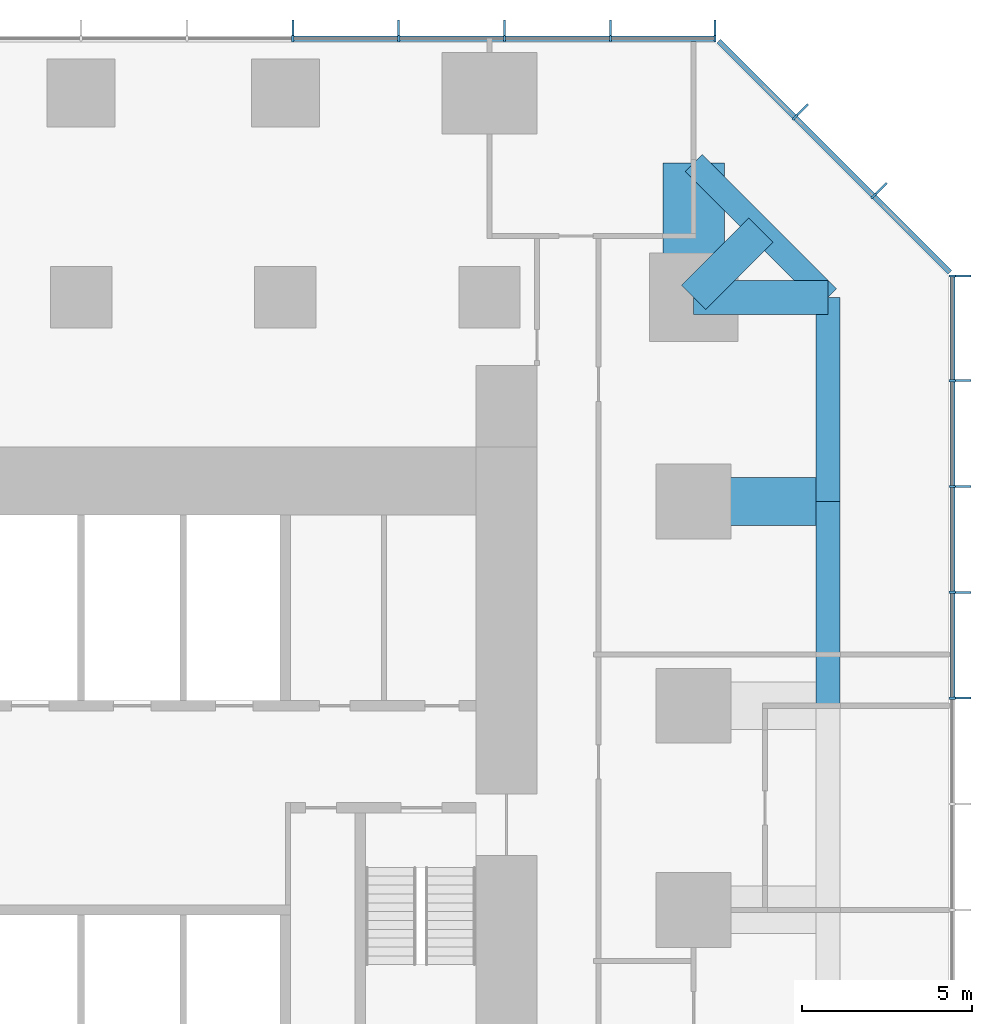
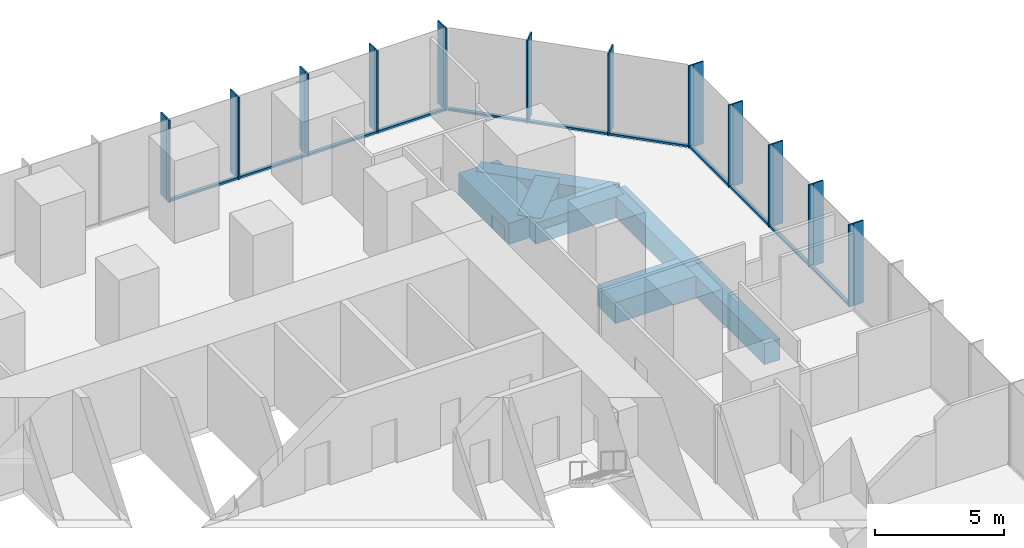
# One storey, part 6 of 12: 35 members, 7 beams, 3 elements without a shape of their own.
"""IFC4 building model written with IfcOpenShell, lengths in metres."""

from ifc_helpers import new_model, si_unit, direction, frame, origin, origin_2d, place, context, subcontext, project, spatial, rectangle, extrude, material, layer, layer_set, material_profile, profile_set, type_object, element, aggregate, save


model = new_model("IFC4")

# Units and contexts
model_context = context("Model", 3, precision=1e-05, world=origin(), true_north=direction((0.0, 1.0)))
body_context = subcontext(model_context, "Body", "Model", "MODEL_VIEW")
ifc_project = project(units=[si_unit("LENGTHUNIT", "METRE"), si_unit("AREAUNIT", "SQUARE_METRE"), si_unit("VOLUMEUNIT", "CUBIC_METRE"), si_unit("PLANEANGLEUNIT", "RADIAN"), si_unit("MASSUNIT", "GRAM", prefix="KILO")], contexts=[model_context])

# Site, building, storey
site_placement = place(None, origin())
site = spatial("IfcSite", under=ifc_project, at=site_placement, CompositionType="ELEMENT")
building_placement = place(site_placement, origin())
building = spatial("IfcBuilding", under=site, at=building_placement, Name="Highveld Stack Headquarters", CompositionType="ELEMENT")
storey_placement = place(building_placement, frame((0.0, 0.0, 57.199951171875)))
storey = spatial("IfcBuildingStorey", under=building, at=storey_placement, Name="L13", CompositionType="ELEMENT", Elevation=57.199951171875)

# Beams
ifc_material_1 = material(Name="Concrete C60/75", Category="concrete")
ifc_material_profile_1 = material_profile(ifc_material_1, rectangle(XDim=1.0, YDim=1.0, at=origin_2d()), Name="RC 1000x1000")
ifc_profile_set_1 = profile_set([ifc_material_profile_1], Name="Concrete C60/75")
beam_type_1 = type_object("IfcBeamType", Name="CANTILEVER RIB RC 1000x1000", PredefinedType="USERDEFINED", material=ifc_profile_set_1)
beam_1_placement = place(storey_placement, frame((24.0, 18.0, -0.75), z_axis=(1.0, 0.0, 0.0), x_axis=(0.0, 1.0, 0.0)))
element("IfcBeam", 1, at=beam_1_placement, inside=storey, type_object=beam_type_1, Name="Cantilever rib 10/H L13", ObjectType="CANTILEVER RIB", PredefinedType="USERDEFINED", context=body_context, shape_type="SweptSolid", body=[
    extrude(rectangle(XDim=1.0, YDim=1.0, at=origin_2d()), origin(), (0.0, 0.0, 1.0), 3.949951171875),
])
beam_2_placement = place(storey_placement, frame((24.0, 18.0, -0.75), z_axis=(0.707106781187, 0.707106781187, 0.0), x_axis=(-0.707106781187, 0.707106781187, 0.0)))
element("IfcBeam", 2, at=beam_2_placement, inside=storey, type_object=beam_type_1, Name="Cantilever rib 10/H L13", ObjectType="CANTILEVER RIB", PredefinedType="USERDEFINED", context=body_context, shape_type="SweptSolid", body=[
    extrude(rectangle(XDim=1.0, YDim=1.0, at=origin_2d()), origin(), (0.0, 0.0, 1.0), 2.793212890625),
])
ifc_material_2 = material(Name="Concrete C60/75", Category="concrete")
ifc_material_profile_2 = material_profile(ifc_material_2, rectangle(XDim=1.39990234375, YDim=1.0, at=origin_2d()), Name="RC 1400x1000")
ifc_profile_set_2 = profile_set([ifc_material_profile_2], Name="Concrete C60/75")
beam_type_2 = type_object("IfcBeamType", Name="CANTILEVER RIB RC 1400x1000", PredefinedType="USERDEFINED", material=ifc_profile_set_2)
beam_3_placement = place(storey_placement, frame((24.0, 12.0, -0.75), z_axis=(1.0, 0.0, 0.0), x_axis=(0.0, 1.0, 0.0)))
element("IfcBeam", 3, at=beam_3_placement, inside=storey, type_object=beam_type_2, Name="Cantilever rib 10/G L13", ObjectType="CANTILEVER RIB", PredefinedType="USERDEFINED", context=body_context, shape_type="SweptSolid", body=[
    extrude(rectangle(XDim=1.39990234375, YDim=1.0, at=origin_2d()), origin(), (0.0, 0.0, 1.0), 3.949951171875),
])
ifc_material_3 = material(Name="Concrete C60/75", Category="concrete")
ifc_material_profile_3 = material_profile(ifc_material_3, rectangle(XDim=1.800048828125, YDim=1.0, at=origin_2d()), Name="RC 1800x1000")
ifc_profile_set_3 = profile_set([ifc_material_profile_3], Name="Concrete C60/75")
beam_type_3 = type_object("IfcBeamType", Name="CANTILEVER RIB RC 1800x1000", PredefinedType="USERDEFINED", material=ifc_profile_set_3)
beam_4_placement = place(storey_placement, frame((24.0, 18.0, -0.75), z_axis=(0.0, 1.0, 0.0), x_axis=(-1.0, 0.0, 0.0)))
element("IfcBeam", 4, at=beam_4_placement, inside=storey, type_object=beam_type_3, Name="Cantilever rib 10/H L13", ObjectType="CANTILEVER RIB", PredefinedType="USERDEFINED", context=body_context, shape_type="SweptSolid", body=[
    extrude(rectangle(XDim=1.800048828125, YDim=1.0, at=origin_2d()), origin(), (0.0, 0.0, 1.0), 3.949951171875),
])

# Curtain wall, members
ifc_material_4 = material(Name="Aluminium bronze anodised", Category="aluminium")
ifc_layer_1 = layer(ifc_material_4, 0.199951171875)
ifc_layer_set_1 = layer_set([ifc_layer_1], Name="Aluminium bronze anodised")
curtain_wall_type_1 = type_object("IfcCurtainWallType", Name="CW1 TOWER UNITISED CURTAIN WALL", PredefinedType="NOTDEFINED", material=ifc_layer_set_1)
curtain_wall_1_placement = place(storey_placement, origin())
curtain_wall_1 = element("IfcCurtainWall", 5, at=curtain_wall_1_placement, inside=storey, type_object=curtain_wall_type_1, Name="Curtain wall CW1 L13 E", PredefinedType="NOTDEFINED")
ifc_material_5 = material(Name="Aluminium bronze anodised", Category="aluminium")
ifc_material_profile_4 = material_profile(ifc_material_5, rectangle(XDim=0.449951171875, YDim=0.06005859375, at=origin_2d()), Name="FIN 450x60")
ifc_profile_set_4 = profile_set([ifc_material_profile_4], Name="Aluminium bronze anodised")
member_type_1 = type_object("IfcMemberType", Name="CW1 BRONZE FIN 450x60", PredefinedType="USERDEFINED", material=ifc_profile_set_4)
member_1_placement = place(storey_placement, frame((31.925048828125, 6.220947265625, 0.0), z_axis=(0.0, 0.0, 1.0), x_axis=(-1.0, 0.0, 0.0)))
member_1 = element("IfcMember", 6, at=member_1_placement, type_object=member_type_1, Name="CW1 fin L13 9", ObjectType="FIN", PredefinedType="USERDEFINED", context=body_context, shape_type="SweptSolid", body=[
    extrude(rectangle(XDim=0.449951171875, YDim=0.06005859375, at=origin_2d()), origin(), (0.0, 0.0, 1.0), 3.900146484375),
])
member_2_placement = place(storey_placement, frame((31.925048828125, 9.331298828125, 0.0), z_axis=(0.0, 0.0, 1.0), x_axis=(-1.0, 0.0, 0.0)))
member_2 = element("IfcMember", 7, at=member_2_placement, type_object=member_type_1, Name="CW1 fin L13 10", ObjectType="FIN", PredefinedType="USERDEFINED", context=body_context, shape_type="SweptSolid", body=[
    extrude(rectangle(XDim=0.449951171875, YDim=0.06005859375, at=origin_2d()), origin(), (0.0, 0.0, 1.0), 3.900146484375),
])
member_3_placement = place(storey_placement, frame((31.925048828125, 12.44189453125, 0.0), z_axis=(0.0, 0.0, 1.0), x_axis=(-1.0, 0.0, 0.0)))
member_3 = element("IfcMember", 8, at=member_3_placement, type_object=member_type_1, Name="CW1 fin L13 11", ObjectType="FIN", PredefinedType="USERDEFINED", context=body_context, shape_type="SweptSolid", body=[
    extrude(rectangle(XDim=0.449951171875, YDim=0.06005859375, at=origin_2d()), origin(), (0.0, 0.0, 1.0), 3.900146484375),
])
member_4_placement = place(storey_placement, frame((31.925048828125, 15.55224609375, 0.0), z_axis=(0.0, 0.0, 1.0), x_axis=(-1.0, 0.0, 0.0)))
member_4 = element("IfcMember", 9, at=member_4_placement, type_object=member_type_1, Name="CW1 fin L13 12", ObjectType="FIN", PredefinedType="USERDEFINED", context=body_context, shape_type="SweptSolid", body=[
    extrude(rectangle(XDim=0.449951171875, YDim=0.06005859375, at=origin_2d()), origin(), (0.0, 0.0, 1.0), 3.900146484375),
])
member_5_placement = place(storey_placement, frame((31.925048828125, 18.630126953125, 0.0), z_axis=(0.0, 0.0, 1.0), x_axis=(-1.0, 0.0, 0.0)))
member_5 = element("IfcMember", 10, at=member_5_placement, type_object=member_type_1, Name="CW1 fin L13 13", ObjectType="FIN", PredefinedType="USERDEFINED", context=body_context, shape_type="SweptSolid", body=[
    extrude(rectangle(XDim=0.449951171875, YDim=0.06005859375, at=origin_2d()), origin(), (0.0, 0.0, 1.0), 3.900146484375),
])

curtain_wall_2_placement = place(storey_placement, origin())
curtain_wall_2 = element("IfcCurtainWall", 11, at=curtain_wall_2_placement, inside=storey, type_object=curtain_wall_type_1, Name="Curtain wall CW1 L13 N", PredefinedType="NOTDEFINED")
member_6_placement = place(storey_placement, frame((24.630126953125, 25.925048828125, 0.0), z_axis=(0.0, 0.0, 1.0), x_axis=(0.0, -1.0, 0.0)))
member_6 = element("IfcMember", 12, at=member_6_placement, type_object=member_type_1, Name="CW1 fin L13 1", ObjectType="FIN", PredefinedType="USERDEFINED", context=body_context, shape_type="SweptSolid", body=[
    extrude(rectangle(XDim=0.449951171875, YDim=0.06005859375, at=origin_2d()), origin(), (0.0, 0.0, 1.0), 3.900146484375),
])
member_7_placement = place(storey_placement, frame((21.55224609375, 25.925048828125, 0.0), z_axis=(0.0, 0.0, 1.0), x_axis=(0.0, -1.0, 0.0)))
member_7 = element("IfcMember", 13, at=member_7_placement, type_object=member_type_1, Name="CW1 fin L13 2", ObjectType="FIN", PredefinedType="USERDEFINED", context=body_context, shape_type="SweptSolid", body=[
    extrude(rectangle(XDim=0.449951171875, YDim=0.06005859375, at=origin_2d()), origin(), (0.0, 0.0, 1.0), 3.900146484375),
])
member_8_placement = place(storey_placement, frame((18.44189453125, 25.925048828125, 0.0), z_axis=(0.0, 0.0, 1.0), x_axis=(0.0, -1.0, 0.0)))
member_8 = element("IfcMember", 14, at=member_8_placement, type_object=member_type_1, Name="CW1 fin L13 3", ObjectType="FIN", PredefinedType="USERDEFINED", context=body_context, shape_type="SweptSolid", body=[
    extrude(rectangle(XDim=0.449951171875, YDim=0.06005859375, at=origin_2d()), origin(), (0.0, 0.0, 1.0), 3.900146484375),
])
member_9_placement = place(storey_placement, frame((15.331298828125, 25.925048828125, 0.0), z_axis=(0.0, 0.0, 1.0), x_axis=(0.0, -1.0, 0.0)))
member_9 = element("IfcMember", 15, at=member_9_placement, type_object=member_type_1, Name="CW1 fin L13 4", ObjectType="FIN", PredefinedType="USERDEFINED", context=body_context, shape_type="SweptSolid", body=[
    extrude(rectangle(XDim=0.449951171875, YDim=0.06005859375, at=origin_2d()), origin(), (0.0, 0.0, 1.0), 3.900146484375),
])
member_10_placement = place(storey_placement, frame((12.220947265625, 25.925048828125, 0.0), z_axis=(0.0, 0.0, 1.0), x_axis=(0.0, -1.0, 0.0)))
member_10 = element("IfcMember", 16, at=member_10_placement, type_object=member_type_1, Name="CW1 fin L13 5", ObjectType="FIN", PredefinedType="USERDEFINED", context=body_context, shape_type="SweptSolid", body=[
    extrude(rectangle(XDim=0.449951171875, YDim=0.06005859375, at=origin_2d()), origin(), (0.0, 0.0, 1.0), 3.900146484375),
])

# Member
ifc_material_6 = material(Name="Aluminium bronze anodised", Category="aluminium")
ifc_material_profile_5 = material_profile(ifc_material_6, rectangle(XDim=0.199951171875, YDim=0.06494140625, at=origin_2d()), Name="CW1 MULLION 65x200")
ifc_profile_set_5 = profile_set([ifc_material_profile_5], Name="Aluminium bronze anodised")
member_type_2 = type_object("IfcMemberType", Name="CW1 MULLION 65x200", PredefinedType="MULLION", material=ifc_profile_set_5)
member_11_placement = place(storey_placement, frame((31.60009765625, 6.220947265625, 0.0), z_axis=(0.0, 0.0, 1.0), x_axis=(-1.0, 0.0, 0.0)))
member_11 = element("IfcMember", 17, at=member_11_placement, type_object=member_type_2, Name="CW1 mullion L13 9", PredefinedType="MULLION", context=body_context, shape_type="SweptSolid", body=[
    extrude(rectangle(XDim=0.199951171875, YDim=0.06494140625, at=origin_2d()), origin(), (0.0, 0.0, 1.0), 3.900146484375),
])

member_12_placement = place(storey_placement, frame((31.60009765625, 9.331298828125, 0.0), z_axis=(0.0, 0.0, 1.0), x_axis=(-1.0, 0.0, 0.0)))
member_12 = element("IfcMember", 18, at=member_12_placement, type_object=member_type_2, Name="CW1 mullion L13 10", PredefinedType="MULLION", context=body_context, shape_type="SweptSolid", body=[
    extrude(rectangle(XDim=0.199951171875, YDim=0.06494140625, at=origin_2d()), origin(), (0.0, 0.0, 1.0), 3.900146484375),
])

member_13_placement = place(storey_placement, frame((31.60009765625, 12.44189453125, 0.0), z_axis=(0.0, 0.0, 1.0), x_axis=(-1.0, 0.0, 0.0)))
member_13 = element("IfcMember", 19, at=member_13_placement, type_object=member_type_2, Name="CW1 mullion L13 11", PredefinedType="MULLION", context=body_context, shape_type="SweptSolid", body=[
    extrude(rectangle(XDim=0.199951171875, YDim=0.06494140625, at=origin_2d()), origin(), (0.0, 0.0, 1.0), 3.900146484375),
])

member_14_placement = place(storey_placement, frame((31.60009765625, 15.55224609375, 0.0), z_axis=(0.0, 0.0, 1.0), x_axis=(-1.0, 0.0, 0.0)))
member_14 = element("IfcMember", 20, at=member_14_placement, type_object=member_type_2, Name="CW1 mullion L13 12", PredefinedType="MULLION", context=body_context, shape_type="SweptSolid", body=[
    extrude(rectangle(XDim=0.199951171875, YDim=0.06494140625, at=origin_2d()), origin(), (0.0, 0.0, 1.0), 3.900146484375),
])

member_15_placement = place(storey_placement, frame((31.60009765625, 18.630126953125, 0.0), z_axis=(0.0, 0.0, 1.0), x_axis=(-1.0, 0.0, 0.0)))
member_15 = element("IfcMember", 21, at=member_15_placement, type_object=member_type_2, Name="CW1 mullion L13 13", PredefinedType="MULLION", context=body_context, shape_type="SweptSolid", body=[
    extrude(rectangle(XDim=0.199951171875, YDim=0.06494140625, at=origin_2d()), origin(), (0.0, 0.0, 1.0), 3.900146484375),
])

member_16_placement = place(storey_placement, frame((24.630126953125, 25.60009765625, 0.0), z_axis=(0.0, 0.0, 1.0), x_axis=(0.0, -1.0, 0.0)))
member_16 = element("IfcMember", 22, at=member_16_placement, type_object=member_type_2, Name="CW1 mullion L13 1", PredefinedType="MULLION", context=body_context, shape_type="SweptSolid", body=[
    extrude(rectangle(XDim=0.199951171875, YDim=0.06494140625, at=origin_2d()), origin(), (0.0, 0.0, 1.0), 3.900146484375),
])

member_17_placement = place(storey_placement, frame((21.55224609375, 25.60009765625, 0.0), z_axis=(0.0, 0.0, 1.0), x_axis=(0.0, -1.0, 0.0)))
member_17 = element("IfcMember", 23, at=member_17_placement, type_object=member_type_2, Name="CW1 mullion L13 2", PredefinedType="MULLION", context=body_context, shape_type="SweptSolid", body=[
    extrude(rectangle(XDim=0.199951171875, YDim=0.06494140625, at=origin_2d()), origin(), (0.0, 0.0, 1.0), 3.900146484375),
])

member_18_placement = place(storey_placement, frame((18.44189453125, 25.60009765625, 0.0), z_axis=(0.0, 0.0, 1.0), x_axis=(0.0, -1.0, 0.0)))
member_18 = element("IfcMember", 24, at=member_18_placement, type_object=member_type_2, Name="CW1 mullion L13 3", PredefinedType="MULLION", context=body_context, shape_type="SweptSolid", body=[
    extrude(rectangle(XDim=0.199951171875, YDim=0.06494140625, at=origin_2d()), origin(), (0.0, 0.0, 1.0), 3.900146484375),
])

member_19_placement = place(storey_placement, frame((15.331298828125, 25.60009765625, 0.0), z_axis=(0.0, 0.0, 1.0), x_axis=(0.0, -1.0, 0.0)))
member_19 = element("IfcMember", 25, at=member_19_placement, type_object=member_type_2, Name="CW1 mullion L13 4", PredefinedType="MULLION", context=body_context, shape_type="SweptSolid", body=[
    extrude(rectangle(XDim=0.199951171875, YDim=0.06494140625, at=origin_2d()), origin(), (0.0, 0.0, 1.0), 3.900146484375),
])

member_20_placement = place(storey_placement, frame((12.220947265625, 25.60009765625, 0.0), z_axis=(0.0, 0.0, 1.0), x_axis=(0.0, -1.0, 0.0)))
member_20 = element("IfcMember", 26, at=member_20_placement, type_object=member_type_2, Name="CW1 mullion L13 5", PredefinedType="MULLION", context=body_context, shape_type="SweptSolid", body=[
    extrude(rectangle(XDim=0.199951171875, YDim=0.06494140625, at=origin_2d()), origin(), (0.0, 0.0, 1.0), 3.900146484375),
])

ifc_material_7 = material(Name="Aluminium bronze anodised", Category="aluminium")
ifc_material_profile_6 = material_profile(ifc_material_7, rectangle(XDim=0.14990234375, YDim=0.10009765625, at=origin_2d()), Name="CW1 TRANSOM 150x100")
ifc_profile_set_6 = profile_set([ifc_material_profile_6], Name="Aluminium bronze anodised")
member_type_3 = type_object("IfcMemberType", Name="CW1 STACK TRANSOM 150x100", PredefinedType="USERDEFINED", material=ifc_profile_set_6)
member_21_placement = place(storey_placement, frame((31.60009765625, 6.25341796875, 0.050048828125), z_axis=(0.0, 1.0, 0.0), x_axis=(-1.0, 0.0, 0.0)))
member_21 = element("IfcMember", 27, at=member_21_placement, type_object=member_type_3, Name="CW1 transom L13 9.1", ObjectType="TRANSOM", PredefinedType="USERDEFINED", context=body_context, shape_type="SweptSolid", body=[
    extrude(rectangle(XDim=0.14990234375, YDim=0.10009765625, at=origin_2d()), origin(), (0.0, 0.0, 1.0), 3.04541015625),
])

member_22_placement = place(storey_placement, frame((31.60009765625, 9.36376953125, 0.050048828125), z_axis=(0.0, 1.0, 0.0), x_axis=(-1.0, 0.0, 0.0)))
member_22 = element("IfcMember", 28, at=member_22_placement, type_object=member_type_3, Name="CW1 transom L13 10.1", ObjectType="TRANSOM", PredefinedType="USERDEFINED", context=body_context, shape_type="SweptSolid", body=[
    extrude(rectangle(XDim=0.14990234375, YDim=0.10009765625, at=origin_2d()), origin(), (0.0, 0.0, 1.0), 3.04541015625),
])

member_23_placement = place(storey_placement, frame((31.60009765625, 12.474365234375, 0.050048828125), z_axis=(0.0, 1.0, 0.0), x_axis=(-1.0, 0.0, 0.0)))
member_23 = element("IfcMember", 29, at=member_23_placement, type_object=member_type_3, Name="CW1 transom L13 11.1", ObjectType="TRANSOM", PredefinedType="USERDEFINED", context=body_context, shape_type="SweptSolid", body=[
    extrude(rectangle(XDim=0.14990234375, YDim=0.10009765625, at=origin_2d()), origin(), (0.0, 0.0, 1.0), 3.04541015625),
])

member_24_placement = place(storey_placement, frame((31.60009765625, 15.584716796875, 0.050048828125), z_axis=(0.0, 1.0, 0.0), x_axis=(-1.0, 0.0, 0.0)))
member_24 = element("IfcMember", 30, at=member_24_placement, type_object=member_type_3, Name="CW1 transom L13 12.1", ObjectType="TRANSOM", PredefinedType="USERDEFINED", context=body_context, shape_type="SweptSolid", body=[
    extrude(rectangle(XDim=0.14990234375, YDim=0.10009765625, at=origin_2d()), origin(), (0.0, 0.0, 1.0), 3.012939453125),
])

aggregate(curtain_wall_1, [member_11, member_1, member_12, member_2, member_13, member_3, member_14, member_4, member_15, member_5, member_21, member_22, member_23, member_24])

member_25_placement = place(storey_placement, frame((24.59765625, 25.60009765625, 0.050048828125), z_axis=(-1.0, 0.0, 0.0), x_axis=(0.0, -1.0, 0.0)))
member_25 = element("IfcMember", 31, at=member_25_placement, type_object=member_type_3, Name="CW1 transom L13 1.1", ObjectType="TRANSOM", PredefinedType="USERDEFINED", context=body_context, shape_type="SweptSolid", body=[
    extrude(rectangle(XDim=0.14990234375, YDim=0.10009765625, at=origin_2d()), origin(), (0.0, 0.0, 1.0), 3.012939453125),
])

member_26_placement = place(storey_placement, frame((21.519775390625, 25.60009765625, 0.050048828125), z_axis=(-1.0, 0.0, 0.0), x_axis=(0.0, -1.0, 0.0)))
member_26 = element("IfcMember", 32, at=member_26_placement, type_object=member_type_3, Name="CW1 transom L13 2.1", ObjectType="TRANSOM", PredefinedType="USERDEFINED", context=body_context, shape_type="SweptSolid", body=[
    extrude(rectangle(XDim=0.14990234375, YDim=0.10009765625, at=origin_2d()), origin(), (0.0, 0.0, 1.0), 3.04541015625),
])

member_27_placement = place(storey_placement, frame((18.4091796875, 25.60009765625, 0.050048828125), z_axis=(-1.0, 0.0, 0.0), x_axis=(0.0, -1.0, 0.0)))
member_27 = element("IfcMember", 33, at=member_27_placement, type_object=member_type_3, Name="CW1 transom L13 3.1", ObjectType="TRANSOM", PredefinedType="USERDEFINED", context=body_context, shape_type="SweptSolid", body=[
    extrude(rectangle(XDim=0.14990234375, YDim=0.10009765625, at=origin_2d()), origin(), (0.0, 0.0, 1.0), 3.045166015625),
])

member_28_placement = place(storey_placement, frame((15.298828125, 25.60009765625, 0.050048828125), z_axis=(-1.0, 0.0, 0.0), x_axis=(0.0, -1.0, 0.0)))
member_28 = element("IfcMember", 34, at=member_28_placement, type_object=member_type_3, Name="CW1 transom L13 4.1", ObjectType="TRANSOM", PredefinedType="USERDEFINED", context=body_context, shape_type="SweptSolid", body=[
    extrude(rectangle(XDim=0.14990234375, YDim=0.10009765625, at=origin_2d()), origin(), (0.0, 0.0, 1.0), 3.04541015625),
])

aggregate(curtain_wall_2, [member_16, member_6, member_17, member_7, member_18, member_8, member_19, member_9, member_20, member_10, member_25, member_26, member_27, member_28])

# Curtain wall, members
ifc_material_8 = material(Name="Aluminium bronze anodised", Category="aluminium")
ifc_layer_2 = layer(ifc_material_8, 0.199951171875)
ifc_layer_set_2 = layer_set([ifc_layer_2], Name="Aluminium bronze anodised")
curtain_wall_type_2 = type_object("IfcCurtainWallType", Name="CW2 TOWER CHAMFER UNITISED CURTAIN WALL", PredefinedType="NOTDEFINED", material=ifc_layer_set_2)
curtain_wall_3_placement = place(storey_placement, origin())
curtain_wall_3 = element("IfcCurtainWall", 35, at=curtain_wall_3_placement, inside=storey, type_object=curtain_wall_type_2, Name="Curtain wall CW2 L13 NE", PredefinedType="NOTDEFINED")
ifc_material_9 = material(Name="Aluminium bronze anodised", Category="aluminium")
ifc_material_profile_7 = material_profile(ifc_material_9, rectangle(XDim=0.449951171875, YDim=0.06005859375, at=origin_2d()), Name="FIN 450x60")
ifc_profile_set_7 = profile_set([ifc_material_profile_7], Name="Aluminium bronze anodised")
member_type_4 = type_object("IfcMemberType", Name="CW2 BRONZE FIN 450x60", PredefinedType="USERDEFINED", material=ifc_profile_set_7)
member_29_placement = place(storey_placement, frame((29.517333984375, 21.204833984375, 0.0), z_axis=(0.0, 0.0, 1.0), x_axis=(-0.707106781187, -0.707106781187, 0.0)))
member_29 = element("IfcMember", 36, at=member_29_placement, type_object=member_type_4, Name="CW2 fin L13 1", ObjectType="FIN", PredefinedType="USERDEFINED", context=body_context, shape_type="SweptSolid", body=[
    extrude(rectangle(XDim=0.449951171875, YDim=0.06005859375, at=origin_2d()), origin(), (0.0, 0.0, 1.0), 3.900146484375),
])
member_30_placement = place(storey_placement, frame((27.204833984375, 23.517333984375, 0.0), z_axis=(0.0, 0.0, 1.0), x_axis=(-0.707106781187, -0.707106781187, 0.0)))
member_30 = element("IfcMember", 37, at=member_30_placement, type_object=member_type_4, Name="CW2 fin L13 2", ObjectType="FIN", PredefinedType="USERDEFINED", context=body_context, shape_type="SweptSolid", body=[
    extrude(rectangle(XDim=0.449951171875, YDim=0.06005859375, at=origin_2d()), origin(), (0.0, 0.0, 1.0), 3.900146484375),
])
ifc_material_10 = material(Name="Aluminium bronze anodised", Category="aluminium")
ifc_material_profile_8 = material_profile(ifc_material_10, rectangle(XDim=0.199951171875, YDim=0.06494140625, at=origin_2d()), Name="CW2 MULLION 65x200")
ifc_profile_set_8 = profile_set([ifc_material_profile_8], Name="Aluminium bronze anodised")
member_type_5 = type_object("IfcMemberType", Name="CW2 MULLION 65x200", PredefinedType="MULLION", material=ifc_profile_set_8)
member_31_placement = place(storey_placement, frame((29.28759765625, 20.97509765625, 0.0), z_axis=(0.0, 0.0, 1.0), x_axis=(-0.707106781187, -0.707106781187, 0.0)))
member_31 = element("IfcMember", 38, at=member_31_placement, type_object=member_type_5, Name="CW2 mullion L13 1", PredefinedType="MULLION", context=body_context, shape_type="SweptSolid", body=[
    extrude(rectangle(XDim=0.199951171875, YDim=0.06494140625, at=origin_2d()), origin(), (0.0, 0.0, 1.0), 3.900146484375),
])
member_32_placement = place(storey_placement, frame((26.97509765625, 23.28759765625, 0.0), z_axis=(0.0, 0.0, 1.0), x_axis=(-0.707106781187, -0.707106781187, 0.0)))
member_32 = element("IfcMember", 39, at=member_32_placement, type_object=member_type_5, Name="CW2 mullion L13 2", PredefinedType="MULLION", context=body_context, shape_type="SweptSolid", body=[
    extrude(rectangle(XDim=0.199951171875, YDim=0.06494140625, at=origin_2d()), origin(), (0.0, 0.0, 1.0), 3.900146484375),
])
ifc_material_11 = material(Name="Aluminium bronze anodised", Category="aluminium")
ifc_material_profile_9 = material_profile(ifc_material_11, rectangle(XDim=0.14990234375, YDim=0.10009765625, at=origin_2d()), Name="CW2 TRANSOM 150x100")
ifc_profile_set_9 = profile_set([ifc_material_profile_9], Name="Aluminium bronze anodised")
member_type_6 = type_object("IfcMemberType", Name="CW2 STACK TRANSOM 150x100", PredefinedType="USERDEFINED", material=ifc_profile_set_9)
member_33_placement = place(storey_placement, frame((31.529296875, 18.7333984375, 0.050048828125), z_axis=(-0.707106781187, 0.707106781187, 0.0), x_axis=(-0.707106781187, -0.707106781187, 0.0)))
member_33 = element("IfcMember", 40, at=member_33_placement, type_object=member_type_6, Name="CW2 transom L13 1.1", ObjectType="TRANSOM", PredefinedType="USERDEFINED", context=body_context, shape_type="SweptSolid", body=[
    extrude(rectangle(XDim=0.14990234375, YDim=0.10009765625, at=origin_2d()), origin(), (0.0, 0.0, 1.0), 3.1376953125),
])
member_34_placement = place(storey_placement, frame((29.2646484375, 20.998046875, 0.050048828125), z_axis=(-0.707106781187, 0.707106781187, 0.0), x_axis=(-0.707106781187, -0.707106781187, 0.0)))
member_34 = element("IfcMember", 41, at=member_34_placement, type_object=member_type_6, Name="CW2 transom L13 2.1", ObjectType="TRANSOM", PredefinedType="USERDEFINED", context=body_context, shape_type="SweptSolid", body=[
    extrude(rectangle(XDim=0.14990234375, YDim=0.10009765625, at=origin_2d()), origin(), (0.0, 0.0, 1.0), 3.20556640625),
])
member_35_placement = place(storey_placement, frame((26.9521484375, 23.310546875, 0.050048828125), z_axis=(-0.707106781187, 0.707106781187, 0.0), x_axis=(-0.707106781187, -0.707106781187, 0.0)))
member_35 = element("IfcMember", 42, at=member_35_placement, type_object=member_type_6, Name="CW2 transom L13 3.1", ObjectType="TRANSOM", PredefinedType="USERDEFINED", context=body_context, shape_type="SweptSolid", body=[
    extrude(rectangle(XDim=0.14990234375, YDim=0.10009765625, at=origin_2d()), origin(), (0.0, 0.0, 1.0), 3.1376953125),
])
aggregate(curtain_wall_3, [member_31, member_29, member_32, member_30, member_33, member_34, member_35])

# Beams
ifc_material_12 = material(Name="Concrete C60/75", Category="concrete")
ifc_material_profile_10 = material_profile(ifc_material_12, rectangle(XDim=0.699951171875, YDim=1.0, at=origin_2d()), Name="RC 700x1000")
ifc_profile_set_10 = profile_set([ifc_material_profile_10], Name="Concrete C60/75")
beam_type_4 = type_object("IfcBeamType", Name="RIB TIP BEAM RC 700x1000", PredefinedType="SPANDREL", material=ifc_profile_set_10)
for number, where, z_axis, x_axis, name in (
    (43, (27.949951171875, 6.0, -0.75), (0.0, 1.0, 0.0), (-1.0, 0.0, 0.0), "Rib tip beam 10/F to 10/G L13"),
    (44, (27.949951171875, 12.0, -0.75), (0.0, 1.0, 0.0), (-1.0, 0.0, 0.0), "Rib tip beam 10/G to 10/H L13"),
):
    element("IfcBeam", number, at=place(storey_placement, frame(where, z_axis=z_axis, x_axis=x_axis)), inside=storey, type_object=beam_type_4, Name=name, PredefinedType="SPANDREL", context=body_context, shape_type="SweptSolid", body=[
        extrude(rectangle(XDim=0.699951171875, YDim=1.0, at=origin_2d()), origin(), (0.0, 0.0, 1.0), 6.0),
    ])
beam_5_placement = place(storey_placement, frame((27.949951171875, 18.0, -0.75), z_axis=(-0.707106781187, 0.707106781187, 0.0), x_axis=(-0.707106781187, -0.707106781187, 0.0)))
element("IfcBeam", 45, at=beam_5_placement, inside=storey, type_object=beam_type_4, Name="Rib tip beam 10/H corner L13", PredefinedType="SPANDREL", context=body_context, shape_type="SweptSolid", body=[
    extrude(rectangle(XDim=0.699951171875, YDim=1.0, at=origin_2d()), origin(), (0.0, 0.0, 1.0), 5.586181640625),
])

save(model, "model.ifc")
